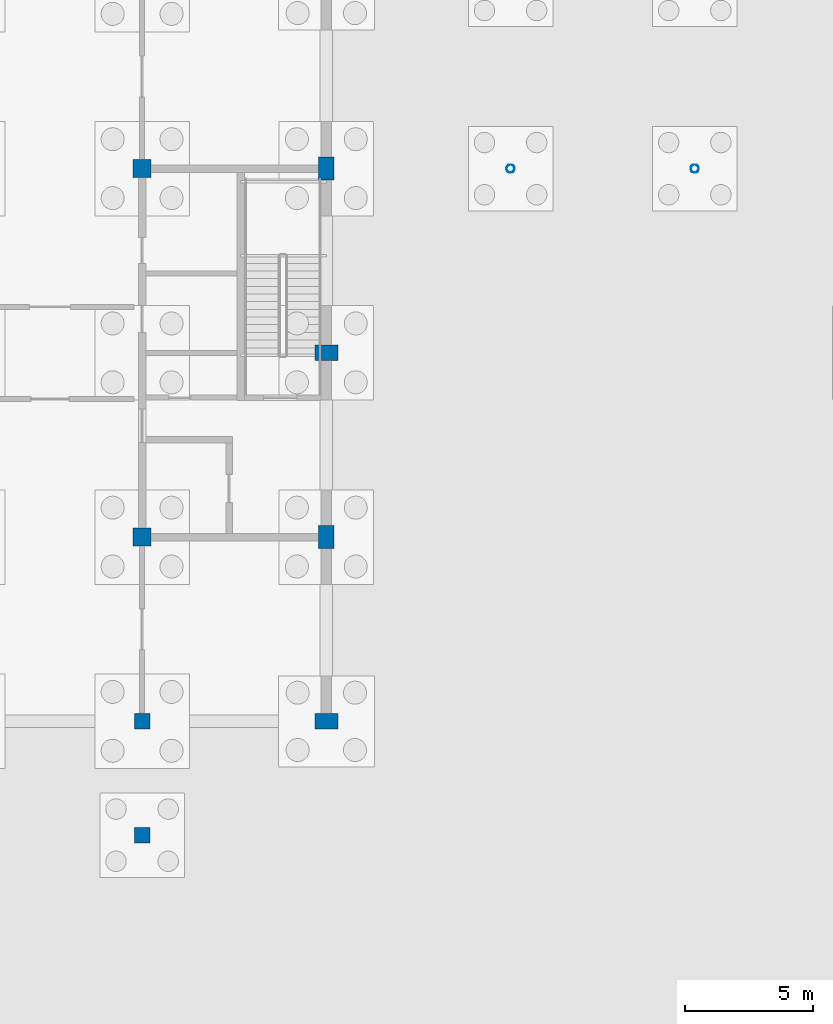
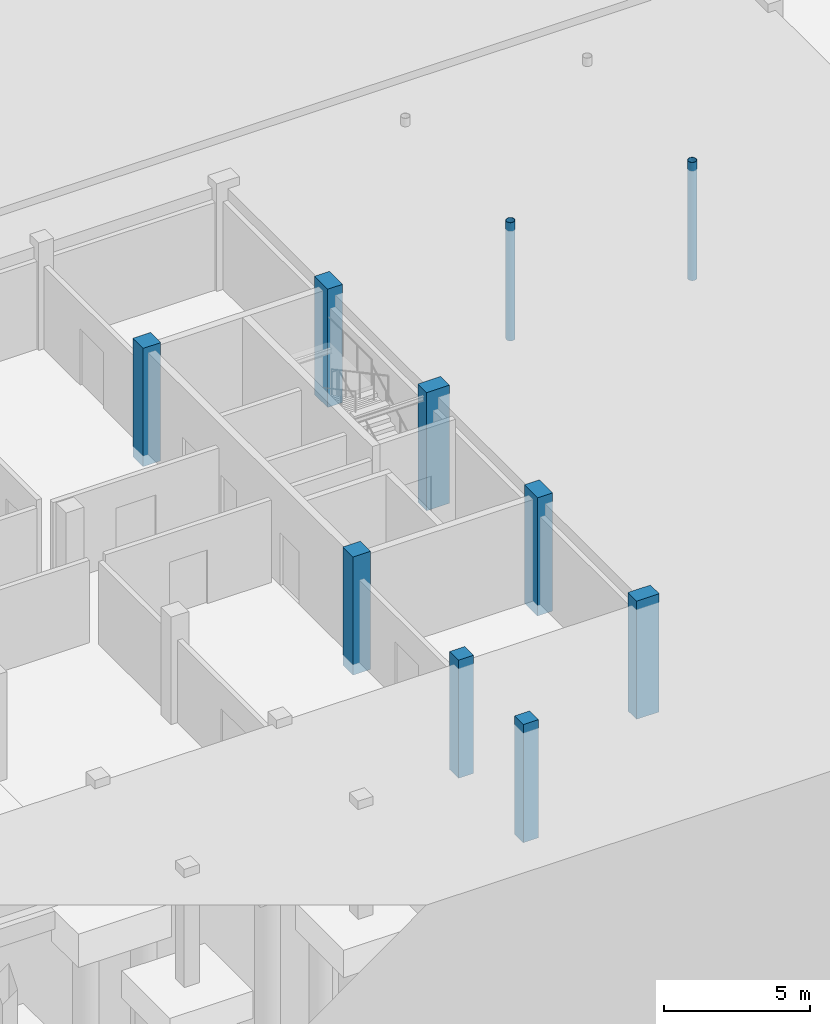
# One storey, part 14 of 51: 10 columns.
"""IFC4 building model written with IfcOpenShell, lengths in metres."""

import ifcopenshell
import ifcopenshell.guid

model = None  # the IFC model being written
_history = None  # IfcOwnerHistory: only IFC2X3 demands one
_inside = {}  # id of a spatial element -> (the spatial element, [elements in it])
_under = {}  # id of a project, library or spatial element -> (it, [spatial elements below it])
_declared = {}  # id of a project -> (the project, [libraries it declares])
_typed = {}  # id of a type object -> (the type object, [elements of that type])
_made_of = {}  # id of a material, layer set ... -> (it, [elements and type objects made of it])


def new_model(schema):
    """Start an empty IFC model of exactly this schema.

    Asked for "IFC4X3", IfcOpenShell would pick the latest addendum, in which some entities
    have other attributes; the version numbers below select the first issue.
    IFC2X3 requires an IfcOwnerHistory on every rooted entity: one is made here for all.
    """
    global model, _history
    if schema == "IFC4X3":
        model = ifcopenshell.file(schema_version=(4, 3, 0, 0))
    else:
        model = ifcopenshell.file(schema=schema)
    _inside.clear()
    _under.clear()
    _declared.clear()
    _typed.clear()
    _made_of.clear()
    _history = None
    if model.schema == "IFC2X3":
        org = make("IfcOrganization", Name="unknown")
        user = make(
            "IfcPersonAndOrganization",
            ThePerson=make("IfcPerson", FamilyName="unknown"),
            TheOrganization=org,
        )
        app = make(
            "IfcApplication",
            ApplicationDeveloper=org,
            Version="unknown",
            ApplicationFullName="unknown",
            ApplicationIdentifier="unknown",
        )
        _history = make(
            "IfcOwnerHistory",
            OwningUser=user,
            OwningApplication=app,
            ChangeAction="ADDED",
            CreationDate=0,
        )
    return model


def make(cls, **values):
    """One entity of the class cls with the attributes given. An attribute that is None is left unset."""
    return model.create_entity(
        cls, **{name: value for name, value in values.items() if value is not None}
    )


def rooted(cls, **values):
    """An entity with a GlobalId (a new one), such as an element, a storey or a relation."""
    return make(cls, GlobalId=ifcopenshell.guid.new(), OwnerHistory=_history, **values)


def si_unit(unit_type, name, prefix=None):
    """IfcSIUnit, for example si_unit("LENGTHUNIT", "METRE", prefix="MILLI")."""
    return make("IfcSIUnit", UnitType=unit_type, Prefix=prefix, Name=name)


def assignment(units):
    """IfcUnitAssignment: the units of a project."""
    return None if units is None else make("IfcUnitAssignment", Units=units)


def point(xyz):
    """IfcCartesianPoint."""
    return None if xyz is None else make("IfcCartesianPoint", Coordinates=xyz)


def direction(xyz):
    """IfcDirection."""
    return None if xyz is None else make("IfcDirection", DirectionRatios=xyz)


def frame(location, z_axis=None, x_axis=None):
    """IfcAxis2Placement3D, a coordinate frame: its origin and axes. An axis left out is left unset."""
    return make(
        "IfcAxis2Placement3D",
        Location=point(location),
        Axis=direction(z_axis),
        RefDirection=direction(x_axis),
    )


def frame_2d(location, x_axis=None):
    """IfcAxis2Placement2D, a coordinate frame in the plane: its origin and x axis."""
    return make(
        "IfcAxis2Placement2D", Location=point(location), RefDirection=direction(x_axis)
    )


def origin():
    """The frame at (0, 0, 0) with its axes left unset."""
    return frame((0.0, 0.0, 0.0))


def origin_2d():
    """The frame at (0, 0) in the plane with its x axis left unset."""
    return frame_2d((0.0, 0.0))


def place(relative_to, where):
    """IfcLocalPlacement: puts the frame where relative to a parent placement (None: the world)."""
    return make(
        "IfcLocalPlacement", PlacementRelTo=relative_to, RelativePlacement=where
    )


def context(
    kind, dimensions, precision=None, world=None, true_north=None, identifier=None
):
    """IfcGeometricRepresentationContext, for example the 3D "Model" context."""
    return make(
        "IfcGeometricRepresentationContext",
        ContextIdentifier=identifier,
        ContextType=kind,
        CoordinateSpaceDimension=dimensions,
        Precision=precision,
        WorldCoordinateSystem=world,
        TrueNorth=true_north,
    )


def subcontext(parent, identifier, kind, view, scale=None):
    """IfcGeometricRepresentationSubContext, for example "Body" below "Model"."""
    return make(
        "IfcGeometricRepresentationSubContext",
        ContextIdentifier=identifier,
        ContextType=kind,
        ParentContext=parent,
        TargetScale=scale,
        TargetView=view,
    )


def project(units=None, contexts=None):
    """IfcProject with its units and contexts."""
    return rooted(
        "IfcProject",
        Name="project",
        RepresentationContexts=contexts,
        UnitsInContext=assignment(units),
    )


def spatial(cls, under=None, at=None, **own):
    """A site, building, storey or space (cls), placed at a placement, below another one or the project."""
    s = rooted(cls, ObjectPlacement=at, **own)
    if under is not None:
        _under.setdefault(under.id(), (under, []))[1].append(s)
    return s


def profile(cls, at=None, kind="AREA", **sizes):
    """A parametric profile (cls). Its sizes go by their IFC names, for example OverallWidth=200.0."""
    return make(cls, ProfileType=kind, Position=at, **sizes)


def rectangle(**sizes):
    """IfcRectangleProfileDef."""
    return profile("IfcRectangleProfileDef", **sizes)


def hollow_circle(**sizes):
    """IfcCircleHollowProfileDef."""
    return profile("IfcCircleHollowProfileDef", **sizes)


def extrude(swept, where, along, depth):
    """IfcExtrudedAreaSolid: the profile swept, set in the frame where, extruded along a direction by depth."""
    return make(
        "IfcExtrudedAreaSolid",
        SweptArea=swept,
        Position=where,
        ExtrudedDirection=direction(along),
        Depth=depth,
    )


def shape(context_of_items, identifier, shape_type, items):
    """IfcShapeRepresentation: the items that make up one representation, for example the "Body"."""
    return make(
        "IfcShapeRepresentation",
        ContextOfItems=context_of_items,
        RepresentationIdentifier=identifier,
        RepresentationType=shape_type,
        Items=items,
    )


def material(Name=None, Category=None):
    """IfcMaterial."""
    return make("IfcMaterial", Name=Name, Category=Category)


def material_profile(
    of_material, cross_section, Name=None, Category=None, Priority=None
):
    """IfcMaterialProfile: a cross section and its material."""
    return make(
        "IfcMaterialProfile",
        Name=Name,
        Material=of_material,
        Profile=cross_section,
        Priority=Priority,
        Category=Category,
    )


def profile_set(profiles, Name=None, composite=None):
    """IfcMaterialProfileSet."""
    return make(
        "IfcMaterialProfileSet",
        Name=Name,
        MaterialProfiles=profiles,
        CompositeProfile=composite,
    )


def made_of(thing, what):
    """Note that an element or type object is made of a material, layer set ...; save() writes the relation."""
    if what is not None:
        _made_of.setdefault(what.id(), (what, []))[1].append(thing)
    return thing


def type_object(cls, material=None, **own):
    """A type object (cls), such as IfcWallType, which elements share."""
    return made_of(rooted(cls, **own), material)


def element(
    cls,
    number,
    at=None,
    inside=None,
    cuts=None,
    type_object=None,
    material=None,
    context=None,
    identifier="Body",
    shape_type=None,
    held_by="IfcProductDefinitionShape",
    body=None,
    shapes=None,
    **own,
):
    """One element of the class cls, such as IfcWall. Its Tag is "e" and its number.

    at: its placement. inside: the storey or other place that contains it. cuts: it is an
    opening in that element (IfcRelVoidsElement). A single representation is given by context,
    identifier, shape_type and body (its items); several are given by shapes. held_by: the class
    of the entity that holds the representations. save() writes the other relations.
    """
    e = rooted(cls, Tag="e%d" % number, ObjectPlacement=at, **own)
    if body is not None:
        shapes = [shape(context, identifier, shape_type, body)]
    if shapes is not None:
        e.Representation = make(held_by, Representations=shapes)
    if inside is not None:
        _inside.setdefault(inside.id(), (inside, []))[1].append(e)
    if cuts is not None:
        rooted(
            "IfcRelVoidsElement", RelatingBuildingElement=cuts, RelatedOpeningElement=e
        )
    if type_object is not None:
        _typed.setdefault(type_object.id(), (type_object, []))[1].append(e)
    return made_of(e, material)


def aggregate(whole, parts):
    """IfcRelAggregates: a whole, such as a stair, and the parts it consists of."""
    return rooted("IfcRelAggregates", RelatingObject=whole, RelatedObjects=parts)


def save(model, path):
    """Write the relations noted so far, then the file.

    IfcRelAggregates (storeys below a building ...), IfcRelContainedInSpatialStructure (elements
    in a storey), IfcRelDefinesByType, IfcRelAssociatesMaterial and IfcRelDeclares: one each for
    every whole, place, type object, material and project.
    """
    for whole, parts in _under.values():
        aggregate(whole, parts)
    for where, things in _inside.values():
        rooted(
            "IfcRelContainedInSpatialStructure",
            RelatedElements=things,
            RelatingStructure=where,
        )
    for kind, things in _typed.values():
        rooted("IfcRelDefinesByType", RelatedObjects=things, RelatingType=kind)
    for what, things in _made_of.values():
        rooted("IfcRelAssociatesMaterial", RelatedObjects=things, RelatingMaterial=what)
    for by, libraries in _declared.values():
        rooted("IfcRelDeclares", RelatingContext=by, RelatedDefinitions=libraries)
    model.write(path)


model = new_model("IFC4")

# Units and contexts
model_context = context("Model", 3, precision=1e-05, world=origin(), true_north=direction((0.0, 1.0)))
body_context = subcontext(model_context, "Body", "Model", "MODEL_VIEW")
ifc_project = project(units=[si_unit("LENGTHUNIT", "METRE"), si_unit("AREAUNIT", "SQUARE_METRE"), si_unit("VOLUMEUNIT", "CUBIC_METRE"), si_unit("PLANEANGLEUNIT", "RADIAN"), si_unit("MASSUNIT", "GRAM", prefix="KILO")], contexts=[model_context])

# Site, building, storey
site_placement = place(None, origin())
site = spatial("IfcSite", under=ifc_project, at=site_placement, CompositionType="ELEMENT")
building_placement = place(site_placement, origin())
building = spatial("IfcBuilding", under=site, at=building_placement, Name="Zlatovets Crest Museum", CompositionType="ELEMENT")
storey_placement = place(building_placement, frame((0.0, 0.0, -4.5)))
storey = spatial("IfcBuildingStorey", under=building, at=storey_placement, Name="B1", CompositionType="ELEMENT", Elevation=-4.5)

# Columns
ifc_material_1 = material(Name="Concrete C35/45", Category="concrete")
ifc_material_profile_1 = material_profile(ifc_material_1, rectangle(XDim=0.699951171875, YDim=0.699951171875, at=origin_2d()), Name="RC 700x700")
ifc_profile_set_1 = profile_set([ifc_material_profile_1], Name="Concrete C35/45")
column_type_1 = type_object("IfcColumnType", Name="Col_C-01", PredefinedType="COLUMN", material=ifc_profile_set_1)
for number, where, z_axis, x_axis, name in (
    (1, (100.800048828125, 7.199951171875, -0.449951171875), (0.0, 0.0, 1.0), (0.0, 1.0, 0.0), "V2 B1 Column (100.8, 7.2)"),
    (2, (100.800048828125, 21.60009765625, -0.449951171875), (0.0, 0.0, 1.0), (0.0, 1.0, 0.0), "V2 B1 Column (100.8, 21.6)"),
):
    element("IfcColumn", number, at=place(storey_placement, frame(where, z_axis=z_axis, x_axis=x_axis)), inside=storey, type_object=column_type_1, Name=name, PredefinedType="COLUMN", context=body_context, shape_type="SweptSolid", body=[
        extrude(rectangle(XDim=0.699951171875, YDim=0.699951171875, at=origin_2d()), origin(), (0.0, 0.0, 1.0), 4.949951171875),
    ])
ifc_material_profile_2 = material_profile(ifc_material_1, rectangle(XDim=0.60009765625, YDim=0.60009765625, at=origin_2d()), Name="RC 600x600")
ifc_profile_set_2 = profile_set([ifc_material_profile_2], Name="Concrete C35/45")
column_type_2 = type_object("IfcColumnType", Name="Col_C-02", PredefinedType="COLUMN", material=ifc_profile_set_2)
for number, where, z_axis, x_axis, name in (
    (3, (100.800048828125, 0.0, -0.449951171875), (0.0, 0.0, 1.0), (1.0, 0.0, 0.0), "V2 B1 Column (100.8, 0.0)"),
    (4, (100.800048828125, -4.448486328125, -0.449951171875), (0.0, 0.0, 1.0), (1.0, 0.0, 0.0), "Entrance Marquee Substructure Pier"),
):
    element("IfcColumn", number, at=place(storey_placement, frame(where, z_axis=z_axis, x_axis=x_axis)), inside=storey, type_object=column_type_2, Name=name, PredefinedType="COLUMN", context=body_context, shape_type="SweptSolid", body=[
        extrude(rectangle(XDim=0.60009765625, YDim=0.60009765625, at=origin_2d()), origin(), (0.0, 0.0, 1.0), 4.949951171875),
    ])
ifc_material_profile_3 = material_profile(ifc_material_1, rectangle(XDim=0.60009765625, YDim=0.89990234375, at=origin_2d()), Name="RC 600x900")
ifc_profile_set_3 = profile_set([ifc_material_profile_3], Name="Concrete C35/45")
column_type_3 = type_object("IfcColumnType", Name="Col_C-03", PredefinedType="PILASTER", material=ifc_profile_set_3)
for number, where, z_axis, x_axis, name in (
    (5, (108.0, 0.0, -0.449951171875), (0.0, 0.0, 1.0), (0.0, 1.0, 0.0), "V2 B1 Column (108.0, 0.0)"),
    (6, (108.0, 7.199951171875, -0.449951171875), (0.0, 0.0, 1.0), (1.0, 0.0, 0.0), "V2 B1 Column (108.0, 7.2)"),
    (7, (108.0, 14.39990234375, -0.449951171875), (0.0, 0.0, 1.0), (0.0, 1.0, 0.0), "V2 B1 Column (108.0, 14.4)"),
    (8, (108.0, 21.60009765625, -0.449951171875), (0.0, 0.0, 1.0), (1.0, 0.0, 0.0), "V2 B1 Column (108.0, 21.6)"),
):
    element("IfcColumn", number, at=place(storey_placement, frame(where, z_axis=z_axis, x_axis=x_axis)), inside=storey, type_object=column_type_3, Name=name, PredefinedType="PILASTER", context=body_context, shape_type="SweptSolid", body=[
        extrude(rectangle(XDim=0.60009765625, YDim=0.89990234375, at=origin_2d()), origin(), (0.0, 0.0, 1.0), 4.949951171875),
    ])
ifc_material_2 = material(Name="Structural steel S355J2", Category="steel")
ifc_material_profile_4 = material_profile(ifc_material_2, hollow_circle(Radius=0.161865234375, WallThickness=0.012451171875, at=origin_2d()), Name="CHS 323.9x12.5")
ifc_profile_set_4 = profile_set([ifc_material_profile_4], Name="Structural steel S355J2")
column_type_4 = type_object("IfcColumnType", Name="Col_C-13", PredefinedType="COLUMN", material=ifc_profile_set_4)
for number, where, z_axis, x_axis, name in (
    (9, (115.199951171875, 21.60009765625, -0.449951171875), (0.0, 0.0, 1.0), (1.0, 0.0, 0.0), "Southeast Archive Glazed Link Bridge Portal Column"),
    (10, (122.39990234375, 21.60009765625, -0.449951171875), (0.0, 0.0, 1.0), (1.0, 0.0, 0.0), "Southeast Archive Glazed Link Bridge Portal Column"),
):
    element("IfcColumn", number, at=place(storey_placement, frame(where, z_axis=z_axis, x_axis=x_axis)), inside=storey, type_object=column_type_4, Name=name, PredefinedType="COLUMN", context=body_context, shape_type="SweptSolid", body=[
        extrude(hollow_circle(Radius=0.161865234375, WallThickness=0.012451171875, at=origin_2d()), origin(), (0.0, 0.0, 1.0), 4.949951171875),
    ])

save(model, "model.ifc")
